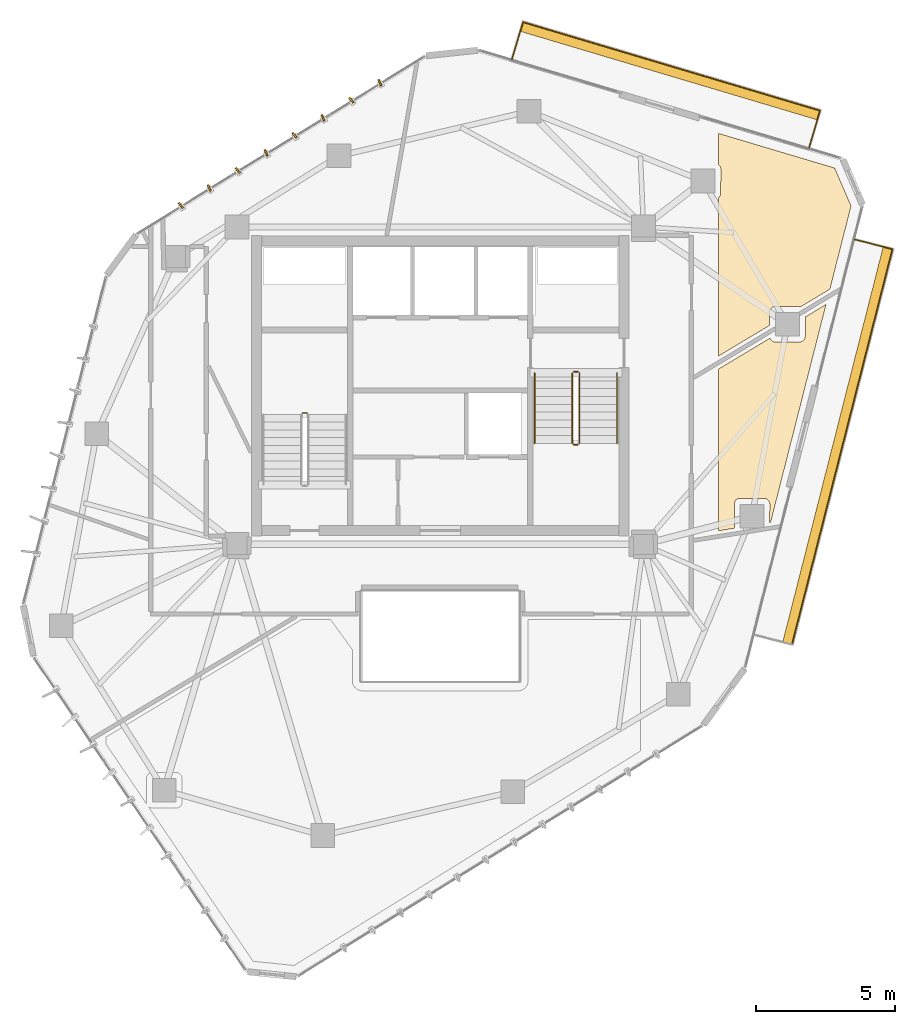
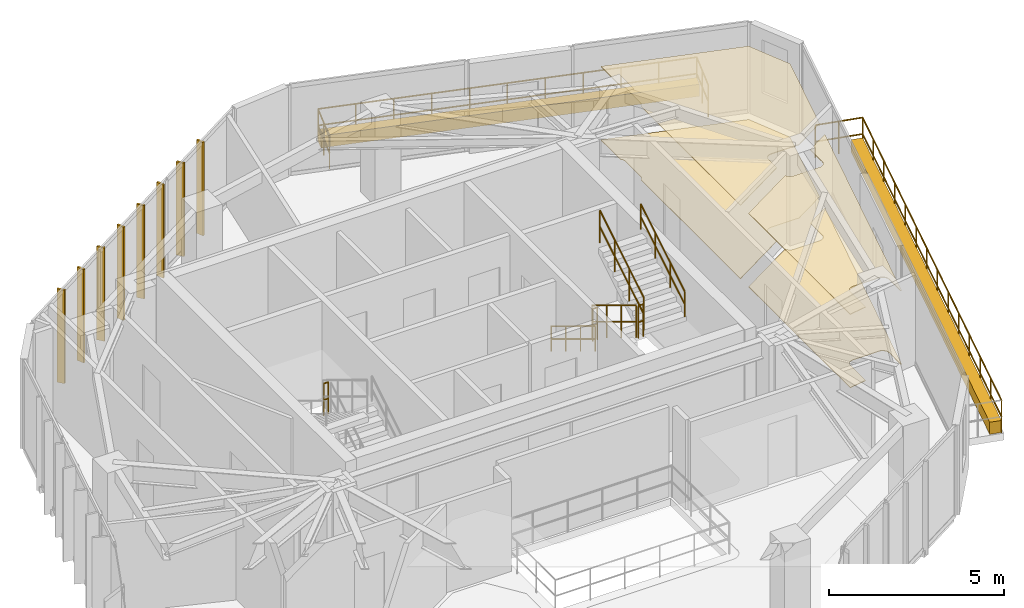
# One storey, part 20 of 20: 12 railings, 8 shading devices, 6 coverings.
"""IFC4 building model written with IfcOpenShell, lengths in metres."""

from ifc_helpers import new_model, si_unit, direction, frame, origin, origin_2d, place, context, subcontext, project, spatial, polyline, rectangle, circle, outline, extrude, source, transform, mapped, material, layer, layer_set, type_object, type_shapes, element, save


model = new_model("IFC4")

# Units and contexts
model_context = context("Model", 3, precision=1e-05, world=origin(), true_north=direction((0.0, 1.0)))
body_context = subcontext(model_context, "Body", "Model", "MODEL_VIEW")
ifc_project = project(units=[si_unit("LENGTHUNIT", "METRE"), si_unit("AREAUNIT", "SQUARE_METRE"), si_unit("VOLUMEUNIT", "CUBIC_METRE"), si_unit("PLANEANGLEUNIT", "RADIAN"), si_unit("MASSUNIT", "GRAM", prefix="KILO")], contexts=[model_context])

# Site, building, storey
site_placement = place(None, origin())
site = spatial("IfcSite", under=ifc_project, at=site_placement, CompositionType="ELEMENT")
building_placement = place(site_placement, origin())
building = spatial("IfcBuilding", under=site, at=building_placement, Name="Talar Marvaseh", CompositionType="ELEMENT")
storey_placement = place(building_placement, frame((0.0, 0.0, 251.0)))
storey = spatial("IfcBuildingStorey", under=building, at=storey_placement, Name="L66", CompositionType="ELEMENT", Elevation=251.0)

# Railings
ifc_material_1 = material(Name="Stainless Steel Grade 316", Category="steel")
railing_type_1 = type_object("IfcRailingType", Name="Brushed Stainless Wall Pitch Handrail 900", PredefinedType="HANDRAIL", material=ifc_material_1)
railing_1_placement = place(storey_placement, frame((29.389892578125, 31.64990234375, 0.169921875)))
element("IfcRailing", 1, at=railing_1_placement, inside=storey, type_object=railing_type_1, Name="L66 ST-2 stair handrail 1", PredefinedType="HANDRAIL", context=body_context, shape_type="SweptSolid", body=[
    extrude(circle(Radius=0.02392578125, at=origin_2d()), frame((0.0, 0.0, 0.8759765625), z_axis=(0.0, -0.85478489116, 0.518982456201), x_axis=(1.0, 0.0, 0.0)), (0.0, 0.0, 1.0), 2.9482421875),
    extrude(circle(Radius=0.02392578125, at=origin_2d()), frame((0.0, 0.0, 0.42578125), z_axis=(0.0, -0.85478489116, 0.518982456201), x_axis=(1.0, 0.0, 0.0)), (0.0, 0.0, 1.0), 2.9482421875),
    extrude(circle(Radius=0.02099609375, at=origin_2d()), origin(), (0.0, 0.0, 1.0), 0.851806640625),
    extrude(circle(Radius=0.02099609375, at=origin_2d()), frame((0.0, -0.840087890625, 0.510009765625)), (0.0, 0.0, 1.0), 0.851806640625),
    extrude(circle(Radius=0.02099609375, at=origin_2d()), frame((0.0, -1.679931640625, 1.02001953125)), (0.0, 0.0, 1.0), 0.851806640625),
    extrude(circle(Radius=0.02099609375, at=origin_2d()), frame((0.0, -2.52001953125, 1.530029296875)), (0.0, 0.0, 1.0), 0.851806640625),
])
railing_2_placement = place(storey_placement, frame((32.35009765625, 29.1298828125, 1.8701171875)))
element("IfcRailing", 2, at=railing_2_placement, inside=storey, type_object=railing_type_1, Name="L66 ST-2 stair handrail 2", PredefinedType="HANDRAIL", context=body_context, shape_type="SweptSolid", body=[
    extrude(circle(Radius=0.02392578125, at=origin_2d()), frame((0.0, 0.0, 0.8759765625), z_axis=(0.0, 0.854821627497, 0.518921945155), x_axis=(-1.0, 0.0, 0.0)), (0.0, 0.0, 1.0), 2.947998046875),
    extrude(circle(Radius=0.02392578125, at=origin_2d()), frame((0.0, 0.0, 0.42578125), z_axis=(0.0, 0.854821627497, 0.518921945155), x_axis=(-1.0, 0.0, 0.0)), (0.0, 0.0, 1.0), 2.947998046875),
    extrude(circle(Radius=0.02099609375, at=origin_2d()), origin(), (0.0, 0.0, 1.0), 0.851806640625),
    extrude(circle(Radius=0.02099609375, at=origin_2d()), frame((0.0, 0.840087890625, 0.510009765625)), (0.0, 0.0, 1.0), 0.851806640625),
    extrude(circle(Radius=0.02099609375, at=origin_2d()), frame((0.0, 1.679931640625, 1.019775390625)), (0.0, 0.0, 1.0), 0.851806640625),
    extrude(circle(Radius=0.02099609375, at=origin_2d()), frame((0.0, 2.52001953125, 1.52978515625)), (0.0, 0.0, 1.0), 0.851806640625),
])
ifc_material_2 = material(Name="Tempered Clear Glass", Category="glass")
railing_type_2 = type_object("IfcRailingType", Name="External Laminated Glass Terrace Balustrade 1150", PredefinedType="BALUSTRADE", material=ifc_material_2)
railing_3_placement = place(storey_placement, frame((28.571533203125, 42.911376953125, 0.0)))
element("IfcRailing", 3, at=railing_3_placement, inside=storey, type_object=railing_type_2, Name="L66 External Terrace Balustrade 1 1", PredefinedType="BALUSTRADE", context=body_context, shape_type="SweptSolid", body=[
    extrude(circle(Radius=0.02392578125, at=origin_2d()), frame((0.0, 0.0, 1.1259765625), z_axis=(0.285520575177, 0.958372579507, 0.0), x_axis=(-0.958372579507, 0.285520575177, 0.0)), (0.0, 0.0, 1.0), 1.409912109375),
    extrude(circle(Radius=0.02392578125, at=origin_2d()), frame((0.0, 0.0, 0.55078125), z_axis=(0.285520575177, 0.958372579507, 0.0), x_axis=(-0.958372579507, 0.285520575177, 0.0)), (0.0, 0.0, 1.0), 1.409912109375),
    extrude(circle(Radius=0.02099609375, at=origin_2d()), origin(), (0.0, 0.0, 1.0), 1.101806640625),
    extrude(circle(Radius=0.02099609375, at=origin_2d()), frame((0.201171875, 0.67578125, 0.0)), (0.0, 0.0, 1.0), 1.101806640625),
    extrude(circle(Radius=0.02099609375, at=origin_2d()), frame((0.402587890625, 1.351318359375, 0.0)), (0.0, 0.0, 1.0), 1.101806640625),
])
railing_4_placement = place(storey_placement, frame((28.97412109375, 44.2626953125, 0.0)))
element("IfcRailing", 4, at=railing_4_placement, inside=storey, type_object=railing_type_2, Name="L66 External Terrace Balustrade 1 2", PredefinedType="BALUSTRADE", context=body_context, shape_type="SweptSolid", body=[
    extrude(circle(Radius=0.02392578125, at=origin_2d()), frame((0.0, 0.0, 1.1259765625), z_axis=(0.95834610711, -0.285609416839, 0.0), x_axis=(0.285609416839, 0.95834610711, 0.0)), (0.0, 0.0, 1.0), 11.134765625),
    extrude(circle(Radius=0.02392578125, at=origin_2d()), frame((0.0, 0.0, 0.55078125), z_axis=(0.95834610711, -0.285609416839, 0.0), x_axis=(0.285609416839, 0.95834610711, 0.0)), (0.0, 0.0, 1.0), 11.134765625),
    extrude(circle(Radius=0.02099609375, at=origin_2d()), origin(), (0.0, 0.0, 1.0), 1.101806640625),
    extrude(circle(Radius=0.02099609375, at=origin_2d()), frame((1.067138671875, -0.318115234375, 0.0)), (0.0, 0.0, 1.0), 1.101806640625),
    extrude(circle(Radius=0.02099609375, at=origin_2d()), frame((2.13427734375, -0.635986328125, 0.0)), (0.0, 0.0, 1.0), 1.101806640625),
    extrude(circle(Radius=0.02099609375, at=origin_2d()), frame((3.201171875, -0.9541015625, 0.0)), (0.0, 0.0, 1.0), 1.101806640625),
    extrude(circle(Radius=0.02099609375, at=origin_2d()), frame((4.268310546875, -1.27197265625, 0.0)), (0.0, 0.0, 1.0), 1.101806640625),
    extrude(circle(Radius=0.02099609375, at=origin_2d()), frame((5.33544921875, -1.590087890625, 0.0)), (0.0, 0.0, 1.0), 1.101806640625),
    extrude(circle(Radius=0.02099609375, at=origin_2d()), frame((6.402587890625, -1.908203125, 0.0)), (0.0, 0.0, 1.0), 1.101806640625),
    extrude(circle(Radius=0.02099609375, at=origin_2d()), frame((7.4697265625, -2.22607421875, 0.0)), (0.0, 0.0, 1.0), 1.101806640625),
    extrude(circle(Radius=0.02099609375, at=origin_2d()), frame((8.53662109375, -2.544189453125, 0.0)), (0.0, 0.0, 1.0), 1.101806640625),
    extrude(circle(Radius=0.02099609375, at=origin_2d()), frame((9.603759765625, -2.862060546875, 0.0)), (0.0, 0.0, 1.0), 1.101806640625),
    extrude(circle(Radius=0.02099609375, at=origin_2d()), frame((10.6708984375, -3.18017578125, 0.0)), (0.0, 0.0, 1.0), 1.101806640625),
])
railing_5_placement = place(storey_placement, frame((39.64501953125, 41.08251953125, 0.0)))
element("IfcRailing", 5, at=railing_5_placement, inside=storey, type_object=railing_type_2, Name="L66 External Terrace Balustrade 1 3", PredefinedType="BALUSTRADE", context=body_context, shape_type="SweptSolid", body=[
    extrude(circle(Radius=0.02392578125, at=origin_2d()), frame((0.0, 0.0, 1.1259765625), z_axis=(-0.285679595746, -0.958325189367, 0.0), x_axis=(0.958325189367, -0.285679595746, 0.0)), (0.0, 0.0, 1.0), 1.41015625),
    extrude(circle(Radius=0.02392578125, at=origin_2d()), frame((0.0, 0.0, 0.55078125), z_axis=(-0.285679595746, -0.958325189367, 0.0), x_axis=(0.958325189367, -0.285679595746, 0.0)), (0.0, 0.0, 1.0), 1.41015625),
    extrude(circle(Radius=0.02099609375, at=origin_2d()), origin(), (0.0, 0.0, 1.0), 1.101806640625),
    extrude(circle(Radius=0.02099609375, at=origin_2d()), frame((-0.201416015625, -0.67578125, 0.0)), (0.0, 0.0, 1.0), 1.101806640625),
    extrude(circle(Radius=0.02099609375, at=origin_2d()), frame((-0.40283203125, -1.351318359375, 0.0)), (0.0, 0.0, 1.0), 1.101806640625),
])
railing_6_placement = place(storey_placement, frame((40.88330078125, 36.451904296875, 0.0)))
element("IfcRailing", 6, at=railing_6_placement, inside=storey, type_object=railing_type_2, Name="L66 External Terrace Balustrade 2 1", PredefinedType="BALUSTRADE", context=body_context, shape_type="SweptSolid", body=[
    extrude(circle(Radius=0.02392578125, at=origin_2d()), frame((0.0, 0.0, 1.1259765625), z_axis=(0.969167129365, -0.246404292493, 0.0), x_axis=(0.246404292493, 0.969167129365, 0.0)), (0.0, 0.0, 1.0), 1.409912109375),
    extrude(circle(Radius=0.02392578125, at=origin_2d()), frame((0.0, 0.0, 0.55078125), z_axis=(0.969167129365, -0.246404292493, 0.0), x_axis=(0.246404292493, 0.969167129365, 0.0)), (0.0, 0.0, 1.0), 1.409912109375),
    extrude(circle(Radius=0.02099609375, at=origin_2d()), origin(), (0.0, 0.0, 1.0), 1.101806640625),
    extrude(circle(Radius=0.02099609375, at=origin_2d()), frame((0.68310546875, -0.173828125, 0.0)), (0.0, 0.0, 1.0), 1.101806640625),
    extrude(circle(Radius=0.02099609375, at=origin_2d()), frame((1.366455078125, -0.347412109375, 0.0)), (0.0, 0.0, 1.0), 1.101806640625),
])
railing_7_placement = place(storey_placement, frame((42.249755859375, 36.1044921875, 0.0)))
element("IfcRailing", 7, at=railing_7_placement, inside=storey, type_object=railing_type_2, Name="L66 External Terrace Balustrade 2 2", PredefinedType="BALUSTRADE", context=body_context, shape_type="SweptSolid", body=[
    extrude(circle(Radius=0.02392578125, at=origin_2d()), frame((0.0, 0.0, 1.1259765625), z_axis=(-0.246307215978, -0.969191805247, 0.0), x_axis=(0.969191805247, -0.246307215978, 0.0)), (0.0, 0.0, 1.0), 14.64501953125),
    extrude(circle(Radius=0.02392578125, at=origin_2d()), frame((0.0, 0.0, 0.55078125), z_axis=(-0.246307215978, -0.969191805247, 0.0), x_axis=(0.969191805247, -0.246307215978, 0.0)), (0.0, 0.0, 1.0), 14.64501953125),
    extrude(circle(Radius=0.02099609375, at=origin_2d()), origin(), (0.0, 0.0, 1.0), 1.101806640625),
    extrude(circle(Radius=0.02099609375, at=origin_2d()), frame((-0.277587890625, -1.091796875, 0.0)), (0.0, 0.0, 1.0), 1.101806640625),
    extrude(circle(Radius=0.02099609375, at=origin_2d()), frame((-0.554931640625, -2.18359375, 0.0)), (0.0, 0.0, 1.0), 1.101806640625),
    extrude(circle(Radius=0.02099609375, at=origin_2d()), frame((-0.83251953125, -3.275390625, 0.0)), (0.0, 0.0, 1.0), 1.101806640625),
    extrude(circle(Radius=0.02099609375, at=origin_2d()), frame((-1.10986328125, -4.367431640625, 0.0)), (0.0, 0.0, 1.0), 1.101806640625),
    extrude(circle(Radius=0.02099609375, at=origin_2d()), frame((-1.387451171875, -5.459228515625, 0.0)), (0.0, 0.0, 1.0), 1.101806640625),
    extrude(circle(Radius=0.02099609375, at=origin_2d()), frame((-1.664794921875, -6.551025390625, 0.0)), (0.0, 0.0, 1.0), 1.101806640625),
    extrude(circle(Radius=0.02099609375, at=origin_2d()), frame((-1.9423828125, -7.642822265625, 0.0)), (0.0, 0.0, 1.0), 1.101806640625),
    extrude(circle(Radius=0.02099609375, at=origin_2d()), frame((-2.2197265625, -8.734619140625, 0.0)), (0.0, 0.0, 1.0), 1.101806640625),
    extrude(circle(Radius=0.02099609375, at=origin_2d()), frame((-2.497314453125, -9.826416015625, 0.0)), (0.0, 0.0, 1.0), 1.101806640625),
    extrude(circle(Radius=0.02099609375, at=origin_2d()), frame((-2.774658203125, -10.91845703125, 0.0)), (0.0, 0.0, 1.0), 1.101806640625),
    extrude(circle(Radius=0.02099609375, at=origin_2d()), frame((-3.05224609375, -12.01025390625, 0.0)), (0.0, 0.0, 1.0), 1.101806640625),
    extrude(circle(Radius=0.02099609375, at=origin_2d()), frame((-3.32958984375, -13.10205078125, 0.0)), (0.0, 0.0, 1.0), 1.101806640625),
    extrude(circle(Radius=0.02099609375, at=origin_2d()), frame((-3.607177734375, -14.19384765625, 0.0)), (0.0, 0.0, 1.0), 1.101806640625),
])
railing_type_3 = type_object("IfcRailingType", Name="Painted Steel Core Stair Well Guardrail 1150", PredefinedType="GUARDRAIL", material=ifc_material_1)
railing_8_placement = place(storey_placement, frame((21.2099609375, 30.219970703125, 1.699951171875)))
element("IfcRailing", 8, at=railing_8_placement, inside=storey, type_object=railing_type_3, Name="L66 ST-1 stair guard 2", PredefinedType="GUARDRAIL", context=body_context, shape_type="SweptSolid", body=[
    extrude(circle(Radius=0.02392578125, at=origin_2d()), frame((0.0, 0.0, 1.1259765625), z_axis=(-1.0, 0.0, 0.0), x_axis=(0.0, -1.0, 0.0)), (0.0, 0.0, 1.0), 0.159912109375),
    extrude(circle(Radius=0.02392578125, at=origin_2d()), frame((0.0, 0.0, 0.55078125), z_axis=(-1.0, 0.0, 0.0), x_axis=(0.0, -1.0, 0.0)), (0.0, 0.0, 1.0), 0.159912109375),
    extrude(circle(Radius=0.02099609375, at=origin_2d()), origin(), (0.0, 0.0, 1.0), 1.101806640625),
    extrude(circle(Radius=0.02099609375, at=origin_2d()), frame((-0.159912109375, 0.0, 0.0)), (0.0, 0.0, 1.0), 1.101806640625),
])
railing_9_placement = place(storey_placement, frame((30.739990234375, 31.64990234375, 0.169921875)))
element("IfcRailing", 9, at=railing_9_placement, inside=storey, type_object=railing_type_3, Name="L66 ST-2 stair guard 1", PredefinedType="GUARDRAIL", context=body_context, shape_type="SweptSolid", body=[
    extrude(circle(Radius=0.02392578125, at=origin_2d()), frame((0.0, 0.0, 1.1259765625), z_axis=(0.0, -0.85478489116, 0.518982456201), x_axis=(1.0, 0.0, 0.0)), (0.0, 0.0, 1.0), 2.9482421875),
    extrude(circle(Radius=0.02392578125, at=origin_2d()), frame((0.0, 0.0, 0.55078125), z_axis=(0.0, -0.85478489116, 0.518982456201), x_axis=(1.0, 0.0, 0.0)), (0.0, 0.0, 1.0), 2.9482421875),
    extrude(circle(Radius=0.02099609375, at=origin_2d()), origin(), (0.0, 0.0, 1.0), 1.101806640625),
    extrude(circle(Radius=0.02099609375, at=origin_2d()), frame((0.0, -0.840087890625, 0.510009765625)), (0.0, 0.0, 1.0), 1.101806640625),
    extrude(circle(Radius=0.02099609375, at=origin_2d()), frame((0.0, -1.679931640625, 1.02001953125)), (0.0, 0.0, 1.0), 1.101806640625),
    extrude(circle(Radius=0.02099609375, at=origin_2d()), frame((0.0, -2.52001953125, 1.530029296875)), (0.0, 0.0, 1.0), 1.101806640625),
])
railing_10_placement = place(storey_placement, frame((30.7900390625, 29.080078125, 1.699951171875)))
element("IfcRailing", 10, at=railing_10_placement, inside=storey, type_object=railing_type_3, Name="L66 ST-2 stair guard 2", PredefinedType="GUARDRAIL", context=body_context, shape_type="SweptSolid", body=[
    extrude(circle(Radius=0.02392578125, at=origin_2d()), frame((0.0, 0.0, 1.1259765625), z_axis=(1.0, 0.0, 0.0), x_axis=(0.0, 1.0, 0.0)), (0.0, 0.0, 1.0), 0.159912109375),
    extrude(circle(Radius=0.02392578125, at=origin_2d()), frame((0.0, 0.0, 0.55078125), z_axis=(1.0, 0.0, 0.0), x_axis=(0.0, 1.0, 0.0)), (0.0, 0.0, 1.0), 0.159912109375),
    extrude(circle(Radius=0.02099609375, at=origin_2d()), origin(), (0.0, 0.0, 1.0), 1.101806640625),
    extrude(circle(Radius=0.02099609375, at=origin_2d()), frame((0.159912109375, 0.0, 0.0)), (0.0, 0.0, 1.0), 1.101806640625),
])
railing_11_placement = place(storey_placement, frame((31.0, 29.1298828125, 1.8701171875)))
element("IfcRailing", 11, at=railing_11_placement, inside=storey, type_object=railing_type_3, Name="L66 ST-2 stair guard 3", PredefinedType="GUARDRAIL", context=body_context, shape_type="SweptSolid", body=[
    extrude(circle(Radius=0.02392578125, at=origin_2d()), frame((0.0, 0.0, 1.1259765625), z_axis=(0.0, 0.854821627497, 0.518921945155), x_axis=(-1.0, 0.0, 0.0)), (0.0, 0.0, 1.0), 2.947998046875),
    extrude(circle(Radius=0.02392578125, at=origin_2d()), frame((0.0, 0.0, 0.55078125), z_axis=(0.0, 0.854821627497, 0.518921945155), x_axis=(-1.0, 0.0, 0.0)), (0.0, 0.0, 1.0), 2.947998046875),
    extrude(circle(Radius=0.02099609375, at=origin_2d()), origin(), (0.0, 0.0, 1.0), 1.101806640625),
    extrude(circle(Radius=0.02099609375, at=origin_2d()), frame((0.0, 0.840087890625, 0.510009765625)), (0.0, 0.0, 1.0), 1.101806640625),
    extrude(circle(Radius=0.02099609375, at=origin_2d()), frame((0.0, 1.679931640625, 1.019775390625)), (0.0, 0.0, 1.0), 1.101806640625),
    extrude(circle(Radius=0.02099609375, at=origin_2d()), frame((0.0, 2.52001953125, 1.52978515625)), (0.0, 0.0, 1.0), 1.101806640625),
])
railing_12_placement = place(storey_placement, frame((30.7900390625, 31.699951171875, 0.0)))
element("IfcRailing", 12, at=railing_12_placement, inside=storey, type_object=railing_type_3, Name="L66 ST-2 stair guard 4", PredefinedType="GUARDRAIL", context=body_context, shape_type="SweptSolid", body=[
    extrude(circle(Radius=0.02392578125, at=origin_2d()), frame((0.0, 0.0, 1.1259765625), z_axis=(1.0, 0.0, 0.0), x_axis=(0.0, 1.0, 0.0)), (0.0, 0.0, 1.0), 0.159912109375),
    extrude(circle(Radius=0.02392578125, at=origin_2d()), frame((0.0, 0.0, 0.55078125), z_axis=(1.0, 0.0, 0.0), x_axis=(0.0, 1.0, 0.0)), (0.0, 0.0, 1.0), 0.159912109375),
    extrude(circle(Radius=0.02099609375, at=origin_2d()), origin(), (0.0, 0.0, 1.0), 1.101806640625),
    extrude(circle(Radius=0.02099609375, at=origin_2d()), frame((0.159912109375, 0.0, 0.0)), (0.0, 0.0, 1.0), 1.101806640625),
])

# Coverings
ifc_material_3 = material(Name="Mineral Fibre Acoustic Ceiling")
ifc_layer_1 = layer(ifc_material_3, 0.02490234375)
ifc_layer_set_1 = layer_set([ifc_layer_1], Name="Mineral Fibre Acoustic Ceiling")
covering_type_1 = type_object("IfcCoveringType", Name="Perforated Mineral Fibre Acoustic Suspended Ceiling", PredefinedType="CEILING", material=ifc_layer_set_1)
covering_1_placement = place(storey_placement, frame((0.0, 0.0, 2.56005859375)))
element("IfcCovering", 13, at=covering_1_placement, inside=storey, type_object=covering_type_1, Name="L66 Artisan Craft Showroom Acoustic Ceiling", PredefinedType="CEILING", context=body_context, shape_type="SweptSolid", body=[
    extrude(outline(polyline([(37.8486328125, 32.89892578125), (37.8583984375, 32.880126953125), (37.869873046875, 32.8623046875), (37.880615234375, 32.847900390625), (37.892333984375, 32.83349609375), (37.905517578125, 32.820068359375), (37.919921875, 32.80810546875), (37.935302734375, 32.797119140625), (37.95166015625, 32.7880859375), (37.96875, 32.780517578125), (37.986572265625, 32.7744140625), (38.004638671875, 32.77001953125), (38.023193359375, 32.767333984375), (38.0419921875, 32.7666015625), (38.90478515625, 32.7685546875), (38.92431640625, 32.76953125), (38.943603515625, 32.7724609375), (38.962646484375, 32.777099609375), (38.98095703125, 32.78369140625), (38.998779296875, 32.792236328125), (39.015380859375, 32.80224609375), (39.03125, 32.81396484375), (39.045654296875, 32.826904296875), (39.058837890625, 32.841552734375), (39.070556640625, 32.857177734375), (39.08056640625, 32.8740234375), (39.08740234375, 32.886474609375), (39.095703125, 32.904296875), (39.102294921875, 32.9228515625), (39.107177734375, 32.94189453125), (39.110107421875, 32.96142578125), (39.111083984375, 32.98095703125), (39.111083984375, 33.668212890625), (39.856201171875, 34.115966796875), (37.866943359375, 26.288818359375), (37.83349609375, 26.283447265625), (37.8369140625, 26.939453125), (37.836181640625, 26.9580078125), (37.83349609375, 26.9765625), (37.829345703125, 26.994873046875), (37.823486328125, 27.012451171875), (37.81591796875, 27.029541015625), (37.806884765625, 27.0458984375), (37.79638671875, 27.061279296875), (37.784423828125, 27.07568359375), (37.771240234375, 27.088623046875), (37.75634765625, 27.102294921875), (37.741943359375, 27.114013671875), (37.726806640625, 27.12451171875), (37.71044921875, 27.13330078125), (37.693603515625, 27.140869140625), (37.67578125, 27.146484375), (37.65771484375, 27.15087890625), (37.639404296875, 27.1533203125), (37.62109375, 27.154052734375), (36.760498046875, 27.149658203125), (36.74072265625, 27.1484375), (36.721435546875, 27.1455078125), (36.702392578125, 27.140625), (36.68408203125, 27.134033203125), (36.66650390625, 27.125732421875), (36.64990234375, 27.115478515625), (36.634033203125, 27.103759765625), (36.61962890625, 27.0908203125), (36.6064453125, 27.076171875), (36.594970703125, 27.060302734375), (36.5849609375, 27.043701171875), (36.576416015625, 27.02587890625), (36.570068359375, 27.007568359375), (36.565185546875, 26.988525390625), (36.5625, 26.968994140625), (36.561279296875, 26.94970703125), (36.561279296875, 26.078857421875), (36.0, 25.98828125), (36.0, 31.798828125), (37.84521484375, 32.90771484375), (37.8486328125, 32.89892578125)])), origin(), (0.0, 0.0, 1.0), 0.02490234375),
])
covering_2_placement = place(storey_placement, frame((0.0, 0.0, 2.56005859375)))
element("IfcCovering", 14, at=covering_2_placement, inside=storey, type_object=covering_type_1, Name="L66 Collection Conservation Store Acoustic Ceiling", PredefinedType="CEILING", context=body_context, shape_type="SweptSolid", body=[
    extrude(outline(polyline([(38.915283203125, 34.045166015625), (38.89697265625, 34.0458984375), (38.037109375, 34.04345703125), (38.017578125, 34.04248046875), (37.998291015625, 34.03955078125), (37.979248046875, 34.034912109375), (37.9609375, 34.0283203125), (37.943115234375, 34.019775390625), (37.926513671875, 34.009765625), (37.910888671875, 33.998046875), (37.896240234375, 33.98486328125), (37.88330078125, 33.970458984375), (37.87158203125, 33.95458984375), (37.861328125, 33.93798828125), (37.854736328125, 33.925537109375), (37.84619140625, 33.90771484375), (37.839599609375, 33.88916015625), (37.8349609375, 33.8701171875), (37.83203125, 33.8505859375), (37.8310546875, 33.8310546875), (37.8310546875, 33.36572265625), (36.0, 32.265625), (36.0, 37.96044921875), (36.0, 37.96044921875), (36.0146484375, 37.9736328125), (36.02783203125, 37.988037109375), (36.03955078125, 38.00390625), (36.0498046875, 38.0205078125), (36.05810546875, 38.0380859375), (36.064697265625, 38.056640625), (36.069580078125, 38.075439453125), (36.072509765625, 38.094970703125), (36.073486328125, 38.114501953125), (36.077880859375, 38.9765625), (36.0771484375, 38.9951171875), (36.07470703125, 39.013671875), (36.0703125, 39.03173828125), (36.064453125, 39.049560546875), (36.056884765625, 39.066650390625), (36.0478515625, 39.0830078125), (36.037353515625, 39.09814453125), (36.025390625, 39.112548828125), (36.01220703125, 39.125732421875), (36.0, 39.13671875), (36.0, 40.25927734375), (40.16796875, 39.016845703125), (40.755615234375, 37.65478515625), (39.99609375, 34.66650390625), (38.950927734375, 34.03857421875), (38.933837890625, 34.04248046875), (38.915283203125, 34.045166015625)])), origin(), (0.0, 0.0, 1.0), 0.02490234375),
])
ifc_material_4 = material(Name="Planted Terrace Vegetated Substrate")
ifc_layer_2 = layer(ifc_material_4, 0.39990234375)
ifc_layer_set_2 = layer_set([ifc_layer_2], Name="Planted Terrace Vegetated Substrate")
covering_type_2 = type_object("IfcCoveringType", Name="Planted Terrace Soil Planter Box Cladding", PredefinedType="CLADDING", material=ifc_layer_set_2)
covering_3_placement = place(storey_placement, origin())
element("IfcCovering", 15, at=covering_3_placement, inside=storey, type_object=covering_type_2, Name="L66 Balcony Structural Planter 1", PredefinedType="CLADDING", context=body_context, shape_type="SweptSolid", body=[
    extrude(outline(polyline([(28.97412109375, 44.2626953125), (39.64501953125, 41.08251953125), (39.545166015625, 40.746826171875), (28.874267578125, 43.92724609375), (28.97412109375, 44.2626953125)])), origin(), (0.0, 0.0, 1.0), 0.419921875),
])
covering_4_placement = place(storey_placement, origin())
element("IfcCovering", 16, at=covering_4_placement, inside=storey, type_object=covering_type_2, Name="L66 Balcony Structural Planter 2", PredefinedType="CLADDING", context=body_context, shape_type="SweptSolid", body=[
    extrude(outline(polyline([(42.249755859375, 36.1044921875), (38.642578125, 21.91064453125), (38.303466796875, 21.996826171875), (41.910400390625, 36.19091796875), (42.249755859375, 36.1044921875)])), origin(), (0.0, 0.0, 1.0), 0.419921875),
])
ifc_material_5 = material(Name="Porcelain Stoneware Tile", Category="masonry")
ifc_layer_3 = layer(ifc_material_5, 0.02001953125)
ifc_layer_set_3 = layer_set([ifc_layer_3], Name="Porcelain Stoneware Tile")
covering_type_3 = type_object("IfcCoveringType", Name="Polished Porcelain Stoneware Gallery Flooring", PredefinedType="FLOORING", material=ifc_layer_set_3)
covering_5_placement = place(storey_placement, origin())
element("IfcCovering", 17, at=covering_5_placement, inside=storey, type_object=covering_type_3, Name="L66 Artisan Craft Showroom Flooring", PredefinedType="FLOORING", context=body_context, shape_type="SweptSolid", body=[
    extrude(outline(polyline([(37.8486328125, 32.89892578125), (37.8583984375, 32.880126953125), (37.869873046875, 32.8623046875), (37.880615234375, 32.847900390625), (37.892333984375, 32.83349609375), (37.905517578125, 32.820068359375), (37.919921875, 32.80810546875), (37.935302734375, 32.797119140625), (37.95166015625, 32.7880859375), (37.96875, 32.780517578125), (37.986572265625, 32.7744140625), (38.004638671875, 32.77001953125), (38.023193359375, 32.767333984375), (38.0419921875, 32.7666015625), (38.90478515625, 32.7685546875), (38.92431640625, 32.76953125), (38.943603515625, 32.7724609375), (38.962646484375, 32.777099609375), (38.98095703125, 32.78369140625), (38.998779296875, 32.792236328125), (39.015380859375, 32.80224609375), (39.03125, 32.81396484375), (39.045654296875, 32.826904296875), (39.058837890625, 32.841552734375), (39.070556640625, 32.857177734375), (39.08056640625, 32.8740234375), (39.08740234375, 32.886474609375), (39.095703125, 32.904296875), (39.102294921875, 32.9228515625), (39.107177734375, 32.94189453125), (39.110107421875, 32.96142578125), (39.111083984375, 32.98095703125), (39.111083984375, 33.668212890625), (39.856201171875, 34.115966796875), (37.866943359375, 26.288818359375), (37.83349609375, 26.283447265625), (37.8369140625, 26.939453125), (37.836181640625, 26.9580078125), (37.83349609375, 26.9765625), (37.829345703125, 26.994873046875), (37.823486328125, 27.012451171875), (37.81591796875, 27.029541015625), (37.806884765625, 27.0458984375), (37.79638671875, 27.061279296875), (37.784423828125, 27.07568359375), (37.771240234375, 27.088623046875), (37.75634765625, 27.102294921875), (37.741943359375, 27.114013671875), (37.726806640625, 27.12451171875), (37.71044921875, 27.13330078125), (37.693603515625, 27.140869140625), (37.67578125, 27.146484375), (37.65771484375, 27.15087890625), (37.639404296875, 27.1533203125), (37.62109375, 27.154052734375), (36.760498046875, 27.149658203125), (36.74072265625, 27.1484375), (36.721435546875, 27.1455078125), (36.702392578125, 27.140625), (36.68408203125, 27.134033203125), (36.66650390625, 27.125732421875), (36.64990234375, 27.115478515625), (36.634033203125, 27.103759765625), (36.61962890625, 27.0908203125), (36.6064453125, 27.076171875), (36.594970703125, 27.060302734375), (36.5849609375, 27.043701171875), (36.576416015625, 27.02587890625), (36.570068359375, 27.007568359375), (36.565185546875, 26.988525390625), (36.5625, 26.968994140625), (36.561279296875, 26.94970703125), (36.561279296875, 26.078857421875), (36.0, 25.98828125), (36.0, 31.798828125), (37.84521484375, 32.90771484375), (37.8486328125, 32.89892578125)])), origin(), (0.0, 0.0, 1.0), 0.02001953125),
])
covering_6_placement = place(storey_placement, origin())
element("IfcCovering", 18, at=covering_6_placement, inside=storey, type_object=covering_type_3, Name="L66 Collection Conservation Store Flooring", PredefinedType="FLOORING", context=body_context, shape_type="SweptSolid", body=[
    extrude(outline(polyline([(38.915283203125, 34.045166015625), (38.89697265625, 34.0458984375), (38.037109375, 34.04345703125), (38.017578125, 34.04248046875), (37.998291015625, 34.03955078125), (37.979248046875, 34.034912109375), (37.9609375, 34.0283203125), (37.943115234375, 34.019775390625), (37.926513671875, 34.009765625), (37.910888671875, 33.998046875), (37.896240234375, 33.98486328125), (37.88330078125, 33.970458984375), (37.87158203125, 33.95458984375), (37.861328125, 33.93798828125), (37.854736328125, 33.925537109375), (37.84619140625, 33.90771484375), (37.839599609375, 33.88916015625), (37.8349609375, 33.8701171875), (37.83203125, 33.8505859375), (37.8310546875, 33.8310546875), (37.8310546875, 33.36572265625), (36.0, 32.265625), (36.0, 37.96044921875), (36.0, 37.96044921875), (36.0146484375, 37.9736328125), (36.02783203125, 37.988037109375), (36.03955078125, 38.00390625), (36.0498046875, 38.0205078125), (36.05810546875, 38.0380859375), (36.064697265625, 38.056640625), (36.069580078125, 38.075439453125), (36.072509765625, 38.094970703125), (36.073486328125, 38.114501953125), (36.077880859375, 38.9765625), (36.0771484375, 38.9951171875), (36.07470703125, 39.013671875), (36.0703125, 39.03173828125), (36.064453125, 39.049560546875), (36.056884765625, 39.066650390625), (36.0478515625, 39.0830078125), (36.037353515625, 39.09814453125), (36.025390625, 39.112548828125), (36.01220703125, 39.125732421875), (36.0, 39.13671875), (36.0, 40.25927734375), (40.16796875, 39.016845703125), (40.755615234375, 37.65478515625), (39.99609375, 34.66650390625), (38.950927734375, 34.03857421875), (38.933837890625, 34.04248046875), (38.915283203125, 34.045166015625)])), origin(), (0.0, 0.0, 1.0), 0.02001953125),
])

# Shading devices
ifc_material_6 = material(Name="Anodised Champagne Bronze Aluminium", Category="aluminium")
ifc_layer_4 = layer(ifc_material_6, 0.06494140625)
ifc_layer_set_4 = layer_set([ifc_layer_4], Name="Anodised Champagne Bronze Aluminium")
shading_device_type = type_object("IfcShadingDeviceType", Name="Sawtooth Champagne Bronze Vertical Fin 240", PredefinedType="USERDEFINED", material=ifc_layer_set_4)
shared_shape = source(origin(), body_context, "Body", "SweptSolid", [
    extrude(rectangle(XDim=0.239990234375, YDim=0.06494140625, at=origin_2d()), origin(), (0.0, 0.0, 1.0), 3.260009765625),
])
type_shapes(shading_device_type, [shared_shape])
for number, where, z_axis, x_axis, name in (
    (19, (16.681884765625, 37.671875, -0.1201171875), (0.0, 0.0, 1.0), (-0.638499207495, 0.769622480199, 0.0), "L66 Sawtooth Vertical Solar Fin"),
    (20, (17.703125, 38.302001953125, -0.1201171875), (0.0, 0.0, 1.0), (-0.401628125633, 0.915802843794, 0.0), "L66 Sawtooth Vertical Solar Fin"),
    (21, (18.724365234375, 38.932373046875, -0.1201171875), (0.0, 0.0, 1.0), (-0.638499207495, 0.769622480199, 0.0), "L66 Sawtooth Vertical Solar Fin"),
    (22, (19.74560546875, 39.5625, -0.1201171875), (0.0, 0.0, 1.0), (-0.401628125633, 0.915802843794, 0.0), "L66 Sawtooth Vertical Solar Fin"),
    (23, (20.7666015625, 40.19287109375, -0.1201171875), (0.0, 0.0, 1.0), (-0.638499207495, 0.769622480199, 0.0), "L66 Sawtooth Vertical Solar Fin"),
    (24, (21.787841796875, 40.822998046875, -0.1201171875), (0.0, 0.0, 1.0), (-0.401628125633, 0.915802843794, 0.0), "L66 Sawtooth Vertical Solar Fin"),
    (25, (22.80908203125, 41.453369140625, -0.1201171875), (0.0, 0.0, 1.0), (-0.638499207495, 0.769622480199, 0.0), "L66 Sawtooth Vertical Solar Fin"),
    (26, (23.830322265625, 42.08349609375, -0.1201171875), (0.0, 0.0, 1.0), (-0.401628125633, 0.915802843794, 0.0), "L66 Sawtooth Vertical Solar Fin"),
):
    element("IfcShadingDevice", number, at=place(storey_placement, frame(where, z_axis=z_axis, x_axis=x_axis)), inside=storey, type_object=shading_device_type, Name=name, ObjectType="FIN", PredefinedType="USERDEFINED", context=body_context, shape_type="MappedRepresentation", body=[
        mapped(shared_shape, transform((0.0, 0.0, 0.0), x_axis=(1.0, 0.0, 0.0), y_axis=(0.0, 1.0, 0.0), z_axis=(0.0, 0.0, 1.0), scale=1.0)),
    ])

save(model, "model.ifc")
